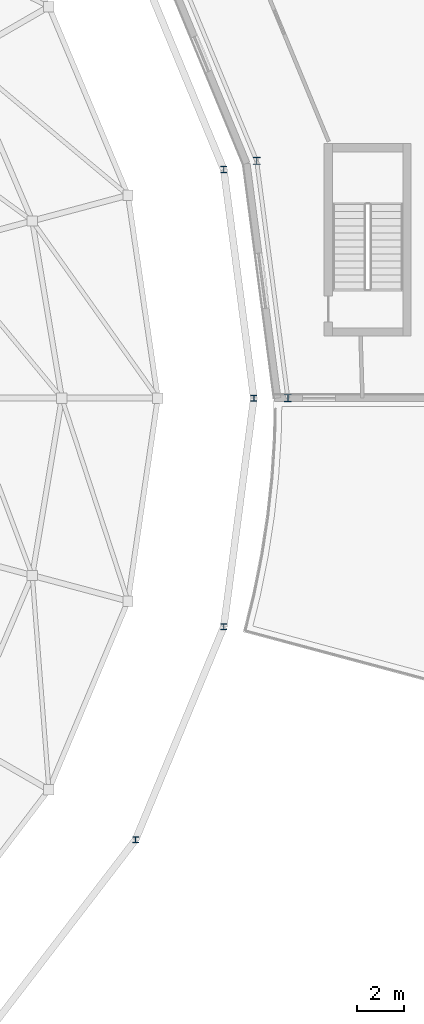
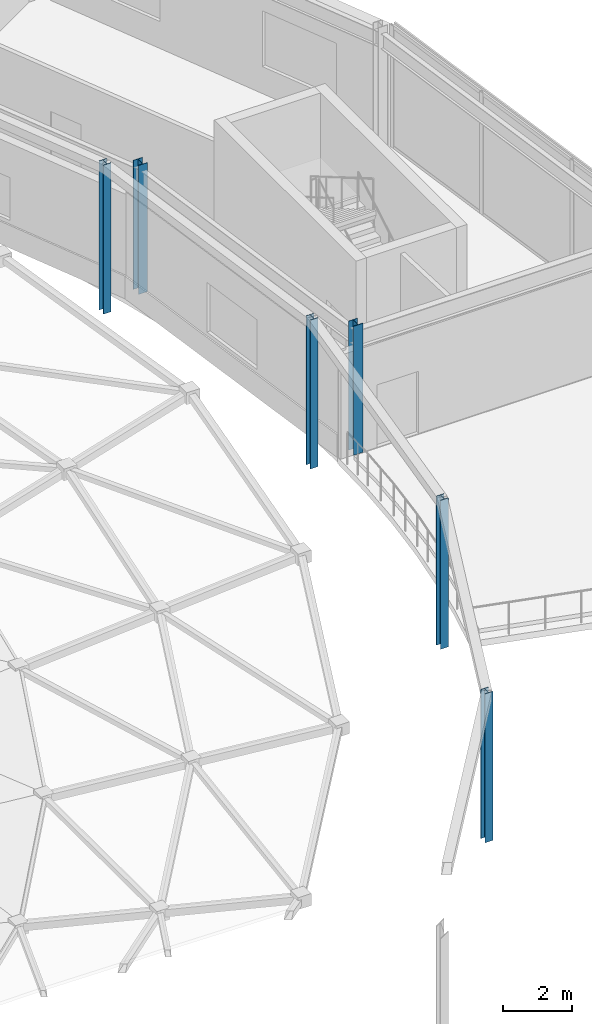
# One storey, part 4 of 89: 6 columns.
"""IFC4 building model written with IfcOpenShell, lengths in metres."""

from ifc_helpers import new_model, si_unit, direction, frame, origin, origin_2d, place, context, subcontext, project, spatial, i_section, extrude, material, material_profile, profile_set, type_object, element, save


model = new_model("IFC4")

# Units and contexts
model_context = context("Model", 3, precision=1e-05, world=origin(), true_north=direction((0.0, 1.0)))
body_context = subcontext(model_context, "Body", "Model", "MODEL_VIEW")
ifc_project = project(units=[si_unit("LENGTHUNIT", "METRE"), si_unit("AREAUNIT", "SQUARE_METRE"), si_unit("VOLUMEUNIT", "CUBIC_METRE"), si_unit("PLANEANGLEUNIT", "RADIAN"), si_unit("MASSUNIT", "GRAM", prefix="KILO")], contexts=[model_context])

# Site, building, storey
site_placement = place(None, origin())
site = spatial("IfcSite", under=ifc_project, at=site_placement, CompositionType="ELEMENT")
building_placement = place(site_placement, origin())
building = spatial("IfcBuilding", under=site, at=building_placement, Name="Almandine Court Research Institute", CompositionType="ELEMENT")
storey_placement = place(building_placement, frame((0.0, 0.0, 18.89990234375)))
storey = spatial("IfcBuildingStorey", under=building, at=storey_placement, Name="L04", CompositionType="ELEMENT", Elevation=18.89990234375)

# Columns
ifc_material = material(Name="Steel ASTM A992 Grade 50", Category="steel")
ifc_material_profile_1 = material_profile(ifc_material, i_section(OverallWidth=0.305908203125, OverallDepth=0.31103515625, WebThickness=0.010986328125, FlangeThickness=0.01708984375, at=origin_2d()), Name="W310x107")
ifc_profile_set_1 = profile_set([ifc_material_profile_1], Name="Steel ASTM A992 Grade 50")
column_type_1 = type_object("IfcColumnType", Name="Col-C-W08-E", PredefinedType="COLUMN", material=ifc_profile_set_1)
for number, where, z_axis, x_axis, name in (
    (1, (126.10009765625, 56.0, 0.0), (0.0, 0.0, 1.0), (1.0, 0.0, 0.0), "L04 V5 Column V5-IN-S00"),
    (2, (124.76806640625, 66.1201171875, 0.0), (0.0, 0.0, 1.0), (1.0, 0.0, 0.0), "L04 V5 Column V5-IN-S01"),
):
    element("IfcColumn", number, at=place(storey_placement, frame(where, z_axis=z_axis, x_axis=x_axis)), inside=storey, type_object=column_type_1, Name=name, PredefinedType="COLUMN", context=body_context, shape_type="SweptSolid", body=[
        extrude(i_section(OverallWidth=0.305908203125, OverallDepth=0.31103515625, WebThickness=0.010986328125, FlangeThickness=0.01708984375, at=origin_2d()), origin(), (0.0, 0.0, 1.0), 4.550048828125),
    ])
ifc_material_profile_2 = material_profile(ifc_material, i_section(OverallWidth=0.257080078125, OverallDepth=0.263916015625, WebThickness=0.011962890625, FlangeThickness=0.02001953125, at=origin_2d()), Name="W250x101")
ifc_profile_set_2 = profile_set([ifc_material_profile_2], Name="Steel ASTM A992 Grade 50")
column_type_2 = type_object("IfcColumnType", Name="Col-C-W09-E", PredefinedType="COLUMN", material=ifc_profile_set_2)
for number, where, z_axis, x_axis, name in (
    (3, (124.64990234375, 56.0, 0.0), (0.0, 0.0, 1.0), (1.0, 0.0, 0.0), "L04 V2 Column V2-OUT-S00"),
    (4, (123.366943359375, 65.7451171875, 0.0), (0.0, 0.0, 1.0), (1.0, 0.0, 0.0), "L04 V2 Column V2-OUT-S01"),
    (5, (119.60595703125, 37.175048828125, 0.0), (0.0, 0.0, 1.0), (1.0, 0.0, 0.0), "L04 V2 Column V2-OUT-S22"),
    (6, (123.366943359375, 46.2548828125, 0.0), (0.0, 0.0, 1.0), (1.0, 0.0, 0.0), "L04 V2 Column V2-OUT-S23"),
):
    element("IfcColumn", number, at=place(storey_placement, frame(where, z_axis=z_axis, x_axis=x_axis)), inside=storey, type_object=column_type_2, Name=name, PredefinedType="COLUMN", context=body_context, shape_type="SweptSolid", body=[
        extrude(i_section(OverallWidth=0.257080078125, OverallDepth=0.263916015625, WebThickness=0.011962890625, FlangeThickness=0.02001953125, at=origin_2d()), origin(), (0.0, 0.0, 1.0), 5.25),
    ])

save(model, "model.ifc")
